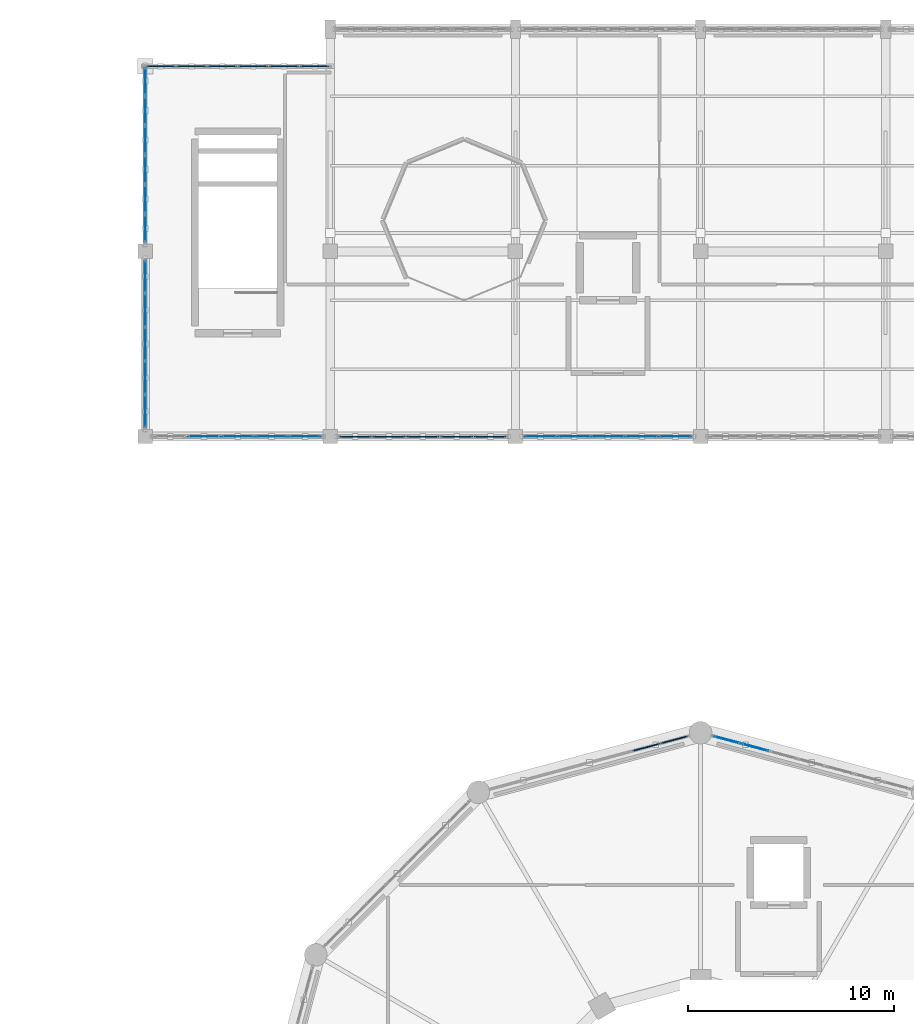
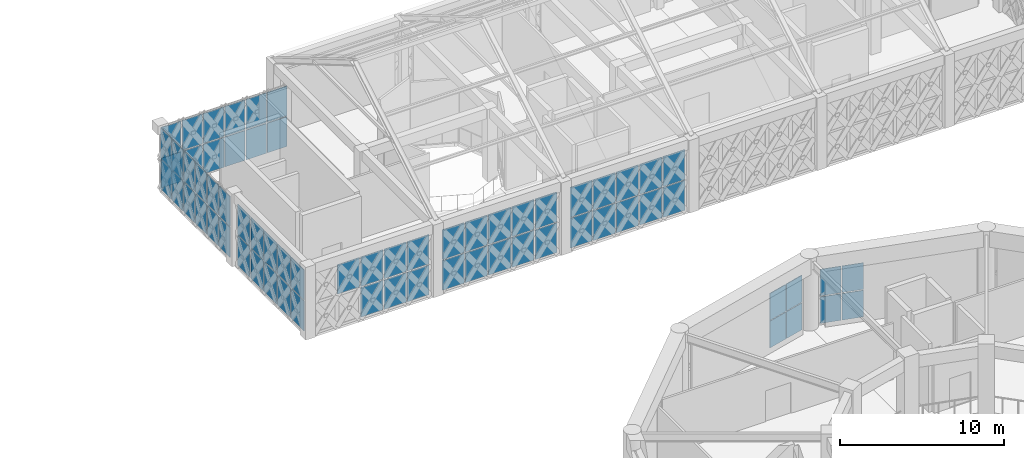
# One storey, part 61 of 72: 69 plates, 8 elements without a shape of their own.
"""IFC4 building model written with IfcOpenShell, lengths in metres."""

from ifc_helpers import new_model, si_unit, direction, frame, origin, origin_2d, place, context, subcontext, project, spatial, rectangle, extrude, material, layer, layer_set, type_object, element, aggregate, save


model = new_model("IFC4")

# Units and contexts
model_context = context("Model", 3, precision=1e-05, world=origin(), true_north=direction((0.0, 1.0)))
body_context = subcontext(model_context, "Body", "Model", "MODEL_VIEW")
ifc_project = project(units=[si_unit("LENGTHUNIT", "METRE"), si_unit("AREAUNIT", "SQUARE_METRE"), si_unit("VOLUMEUNIT", "CUBIC_METRE"), si_unit("PLANEANGLEUNIT", "RADIAN"), si_unit("MASSUNIT", "GRAM", prefix="KILO")], contexts=[model_context])

# Site, building, storey
site_placement = place(None, origin())
site = spatial("IfcSite", under=ifc_project, at=site_placement, CompositionType="ELEMENT")
building_placement = place(site_placement, origin())
building = spatial("IfcBuilding", under=site, at=building_placement, Name="Haizhuo Lancet Aquarium", CompositionType="ELEMENT")
storey_placement = place(building_placement, frame((0.0, 0.0, 21.60009765625)))
storey = spatial("IfcBuildingStorey", under=building, at=storey_placement, Name="L04", CompositionType="ELEMENT", Elevation=21.60009765625)

# Curtain wall, plates
ifc_material_1 = material(Name="Aluminium 6063-T6", Category="aluminium")
curtain_wall_type_1 = type_object("IfcCurtainWallType", Name="CWD-8210x4650", PredefinedType="NOTDEFINED", material=ifc_material_1)
curtain_wall_1_placement = place(storey_placement, origin())
curtain_wall_1 = element("IfcCurtainWall", 1, at=curtain_wall_1_placement, inside=storey, type_object=curtain_wall_type_1, Name="L04 curtain wall CW-V5-L04-189", PredefinedType="NOTDEFINED")
ifc_material_2 = material(Name="Laminated Low-E Glass", Category="glass")
ifc_layer_1 = layer(ifc_material_2, 0.028076171875)
ifc_layer_set_1 = layer_set([ifc_layer_1], Name="Laminated Low-E Glass")
plate_type_1 = type_object("IfcPlateType", Name="CW-PNL-1", PredefinedType="CURTAIN_PANEL", material=ifc_layer_set_1)
plate_1_placement = place(storey_placement, frame((-19.236083984375, 36.0, 0.079345703125), z_axis=(0.0, 0.0, 1.0), x_axis=(-1.0, 0.0, 0.0)))
plate_1 = element("IfcPlate", 2, at=plate_1_placement, type_object=plate_type_1, Name="CWD-82x46 panel 1.1", PredefinedType="CURTAIN_PANEL", context=body_context, shape_type="SweptSolid", body=[
    extrude(rectangle(XDim=1.52197265625, YDim=0.028076171875, at=origin_2d()), origin(), (0.0, 0.0, 1.0), 2.205078125),
])
plate_2_placement = place(storey_placement, frame((-19.236083984375, 36.0, 2.365478515625), z_axis=(0.0, 0.0, 1.0), x_axis=(-1.0, 0.0, 0.0)))
plate_2 = element("IfcPlate", 3, at=plate_2_placement, type_object=plate_type_1, Name="CWD-82x46 panel 1.2", PredefinedType="CURTAIN_PANEL", context=body_context, shape_type="SweptSolid", body=[
    extrude(rectangle(XDim=1.52197265625, YDim=0.028076171875, at=origin_2d()), origin(), (0.0, 0.0, 1.0), 2.205078125),
])
plate_3_placement = place(storey_placement, frame((-20.85791015625, 36.0, 0.079345703125), z_axis=(0.0, 0.0, 1.0), x_axis=(-1.0, 0.0, 0.0)))
plate_3 = element("IfcPlate", 4, at=plate_3_placement, type_object=plate_type_1, Name="CWD-82x46 panel 2.1", PredefinedType="CURTAIN_PANEL", context=body_context, shape_type="SweptSolid", body=[
    extrude(rectangle(XDim=1.56201171875, YDim=0.028076171875, at=origin_2d()), origin(), (0.0, 0.0, 1.0), 2.205078125),
])
plate_4_placement = place(storey_placement, frame((-20.85791015625, 36.0, 2.365478515625), z_axis=(0.0, 0.0, 1.0), x_axis=(-1.0, 0.0, 0.0)))
plate_4 = element("IfcPlate", 5, at=plate_4_placement, type_object=plate_type_1, Name="CWD-82x46 panel 2.2", PredefinedType="CURTAIN_PANEL", context=body_context, shape_type="SweptSolid", body=[
    extrude(rectangle(XDim=1.56201171875, YDim=0.028076171875, at=origin_2d()), origin(), (0.0, 0.0, 1.0), 2.205078125),
])
plate_5_placement = place(storey_placement, frame((-22.5, 36.0, 0.079345703125), z_axis=(0.0, 0.0, 1.0), x_axis=(-1.0, 0.0, 0.0)))
plate_5 = element("IfcPlate", 6, at=plate_5_placement, type_object=plate_type_1, Name="CWD-82x46 panel 3.1", PredefinedType="CURTAIN_PANEL", context=body_context, shape_type="SweptSolid", body=[
    extrude(rectangle(XDim=1.56201171875, YDim=0.028076171875, at=origin_2d()), origin(), (0.0, 0.0, 1.0), 2.205078125),
])
plate_6_placement = place(storey_placement, frame((-22.5, 36.0, 2.365478515625), z_axis=(0.0, 0.0, 1.0), x_axis=(-1.0, 0.0, 0.0)))
plate_6 = element("IfcPlate", 7, at=plate_6_placement, type_object=plate_type_1, Name="CWD-82x46 panel 3.2", PredefinedType="CURTAIN_PANEL", context=body_context, shape_type="SweptSolid", body=[
    extrude(rectangle(XDim=1.56201171875, YDim=0.028076171875, at=origin_2d()), origin(), (0.0, 0.0, 1.0), 2.205078125),
])
plate_7_placement = place(storey_placement, frame((-24.14208984375, 36.0, 2.365478515625), z_axis=(0.0, 0.0, 1.0), x_axis=(-1.0, 0.0, 0.0)))
plate_7 = element("IfcPlate", 8, at=plate_7_placement, type_object=plate_type_1, Name="CWD-82x46 panel 4.2", PredefinedType="CURTAIN_PANEL", context=body_context, shape_type="SweptSolid", body=[
    extrude(rectangle(XDim=1.56201171875, YDim=0.028076171875, at=origin_2d()), origin(), (0.0, 0.0, 1.0), 2.205078125),
])
aggregate(curtain_wall_1, [plate_1, plate_2, plate_3, plate_4, plate_5, plate_6, plate_7])

curtain_wall_type_2 = type_object("IfcCurtainWallType", Name="CWD-8210x4700", PredefinedType="NOTDEFINED", material=ifc_material_1)
curtain_wall_2_placement = place(storey_placement, origin())
curtain_wall_2 = element("IfcCurtainWall", 9, at=curtain_wall_2_placement, inside=storey, type_object=curtain_wall_type_2, Name="L04 curtain wall CW-V5-L04-190", PredefinedType="NOTDEFINED")
ifc_layer_2 = layer(ifc_material_2, 0.033935546875)
ifc_layer_set_2 = layer_set([ifc_layer_2], Name="Laminated Low-E Glass")
plate_type_2 = type_object("IfcPlateType", Name="CW-PNL-2", PredefinedType="CURTAIN_PANEL", material=ifc_layer_set_2)
plate_8_placement = place(storey_placement, frame((-27.0, 37.23193359375, 0.064453125), z_axis=(0.0, 0.0, 1.0), x_axis=(0.0, 1.0, 0.0)))
plate_8 = element("IfcPlate", 10, at=plate_8_placement, type_object=plate_type_2, Name="CWD-82x47 panel 1.1", PredefinedType="CURTAIN_PANEL", context=body_context, shape_type="SweptSolid", body=[
    extrude(rectangle(XDim=1.5439453125, YDim=0.033935546875, at=origin_2d()), origin(), (0.0, 0.0, 1.0), 2.2529296875),
])
plate_9_placement = place(storey_placement, frame((-27.0, 37.23193359375, 2.38232421875), z_axis=(0.0, 0.0, 1.0), x_axis=(0.0, 1.0, 0.0)))
plate_9 = element("IfcPlate", 11, at=plate_9_placement, type_object=plate_type_2, Name="CWD-82x47 panel 1.2", PredefinedType="CURTAIN_PANEL", context=body_context, shape_type="SweptSolid", body=[
    extrude(rectangle(XDim=1.5439453125, YDim=0.033935546875, at=origin_2d()), origin(), (0.0, 0.0, 1.0), 2.2529296875),
])
plate_10_placement = place(storey_placement, frame((-27.0, 38.85791015625, 0.064453125), z_axis=(0.0, 0.0, 1.0), x_axis=(0.0, 1.0, 0.0)))
plate_10 = element("IfcPlate", 12, at=plate_10_placement, type_object=plate_type_2, Name="CWD-82x47 panel 2.1", PredefinedType="CURTAIN_PANEL", context=body_context, shape_type="SweptSolid", body=[
    extrude(rectangle(XDim=1.576904296875, YDim=0.033935546875, at=origin_2d()), origin(), (0.0, 0.0, 1.0), 2.2529296875),
])
plate_11_placement = place(storey_placement, frame((-27.0, 38.85791015625, 2.38232421875), z_axis=(0.0, 0.0, 1.0), x_axis=(0.0, 1.0, 0.0)))
plate_11 = element("IfcPlate", 13, at=plate_11_placement, type_object=plate_type_2, Name="CWD-82x47 panel 2.2", PredefinedType="CURTAIN_PANEL", context=body_context, shape_type="SweptSolid", body=[
    extrude(rectangle(XDim=1.576904296875, YDim=0.033935546875, at=origin_2d()), origin(), (0.0, 0.0, 1.0), 2.2529296875),
])
plate_12_placement = place(storey_placement, frame((-27.0, 40.5, 0.064453125), z_axis=(0.0, 0.0, 1.0), x_axis=(0.0, 1.0, 0.0)))
plate_12 = element("IfcPlate", 14, at=plate_12_placement, type_object=plate_type_2, Name="CWD-82x47 panel 3.1", PredefinedType="CURTAIN_PANEL", context=body_context, shape_type="SweptSolid", body=[
    extrude(rectangle(XDim=1.576904296875, YDim=0.033935546875, at=origin_2d()), origin(), (0.0, 0.0, 1.0), 2.2529296875),
])
plate_13_placement = place(storey_placement, frame((-27.0, 40.5, 2.38232421875), z_axis=(0.0, 0.0, 1.0), x_axis=(0.0, 1.0, 0.0)))
plate_13 = element("IfcPlate", 15, at=plate_13_placement, type_object=plate_type_2, Name="CWD-82x47 panel 3.2", PredefinedType="CURTAIN_PANEL", context=body_context, shape_type="SweptSolid", body=[
    extrude(rectangle(XDim=1.576904296875, YDim=0.033935546875, at=origin_2d()), origin(), (0.0, 0.0, 1.0), 2.2529296875),
])
plate_14_placement = place(storey_placement, frame((-27.0, 42.14208984375, 0.064453125), z_axis=(0.0, 0.0, 1.0), x_axis=(0.0, 1.0, 0.0)))
plate_14 = element("IfcPlate", 16, at=plate_14_placement, type_object=plate_type_2, Name="CWD-82x47 panel 4.1", PredefinedType="CURTAIN_PANEL", context=body_context, shape_type="SweptSolid", body=[
    extrude(rectangle(XDim=1.576904296875, YDim=0.033935546875, at=origin_2d()), origin(), (0.0, 0.0, 1.0), 2.2529296875),
])
plate_15_placement = place(storey_placement, frame((-27.0, 42.14208984375, 2.38232421875), z_axis=(0.0, 0.0, 1.0), x_axis=(0.0, 1.0, 0.0)))
plate_15 = element("IfcPlate", 17, at=plate_15_placement, type_object=plate_type_2, Name="CWD-82x47 panel 4.2", PredefinedType="CURTAIN_PANEL", context=body_context, shape_type="SweptSolid", body=[
    extrude(rectangle(XDim=1.576904296875, YDim=0.033935546875, at=origin_2d()), origin(), (0.0, 0.0, 1.0), 2.2529296875),
])
plate_16_placement = place(storey_placement, frame((-27.0, 43.76806640625, 0.064453125), z_axis=(0.0, 0.0, 1.0), x_axis=(0.0, 1.0, 0.0)))
plate_16 = element("IfcPlate", 18, at=plate_16_placement, type_object=plate_type_2, Name="CWD-82x47 panel 5.1", PredefinedType="CURTAIN_PANEL", context=body_context, shape_type="SweptSolid", body=[
    extrude(rectangle(XDim=1.5439453125, YDim=0.033935546875, at=origin_2d()), origin(), (0.0, 0.0, 1.0), 2.2529296875),
])
plate_17_placement = place(storey_placement, frame((-27.0, 43.76806640625, 2.38232421875), z_axis=(0.0, 0.0, 1.0), x_axis=(0.0, 1.0, 0.0)))
plate_17 = element("IfcPlate", 19, at=plate_17_placement, type_object=plate_type_2, Name="CWD-82x47 panel 5.2", PredefinedType="CURTAIN_PANEL", context=body_context, shape_type="SweptSolid", body=[
    extrude(rectangle(XDim=1.5439453125, YDim=0.033935546875, at=origin_2d()), origin(), (0.0, 0.0, 1.0), 2.2529296875),
])
aggregate(curtain_wall_2, [plate_8, plate_9, plate_10, plate_11, plate_12, plate_13, plate_14, plate_15, plate_16, plate_17])

curtain_wall_type_3 = type_object("IfcCurtainWallType", Name="CWO-9990x4180", PredefinedType="NOTDEFINED", material=ifc_material_1)
curtain_wall_3_placement = place(storey_placement, origin())
curtain_wall_3 = element("IfcCurtainWall", 20, at=curtain_wall_3_placement, inside=storey, type_object=curtain_wall_type_3, Name="L04 curtain wall CW-V1-L04-03", PredefinedType="NOTDEFINED")
ifc_layer_3 = layer(ifc_material_2, 0.0419921875)
ifc_layer_set_3 = layer_set([ifc_layer_3], Name="Laminated Low-E Glass")
plate_type_3 = type_object("IfcPlateType", Name="CW-PNL-3", PredefinedType="CURTAIN_PANEL", material=ifc_layer_set_3)
plate_18_placement = place(storey_placement, frame((1.283935546875, 21.256103515625, 0.07958984375), z_axis=(0.0, 0.0, 1.0), x_axis=(0.965916791212, -0.258852762117, 0.0)))
plate_18 = element("IfcPlate", 21, at=plate_18_placement, type_object=plate_type_3, Name="CWO-99x41 panel 1.1", PredefinedType="CURTAIN_PANEL", context=body_context, shape_type="SweptSolid", body=[
    extrude(rectangle(XDim=1.306884765625, YDim=0.0419921875, at=origin_2d()), origin(), (0.0, 0.0, 1.0), 1.972900390625),
])
plate_19_placement = place(storey_placement, frame((1.283935546875, 21.256103515625, 2.1328125), z_axis=(0.0, 0.0, 1.0), x_axis=(0.965916791212, -0.258852762117, 0.0)))
plate_19 = element("IfcPlate", 22, at=plate_19_placement, type_object=plate_type_3, Name="CWO-99x41 panel 1.2", PredefinedType="CURTAIN_PANEL", context=body_context, shape_type="SweptSolid", body=[
    extrude(rectangle(XDim=1.306884765625, YDim=0.0419921875, at=origin_2d()), origin(), (0.0, 0.0, 1.0), 1.971923828125),
])
plate_20_placement = place(storey_placement, frame((2.64306640625, 20.89208984375, 0.07958984375), z_axis=(0.0, 0.0, 1.0), x_axis=(0.965916791212, -0.258852762117, 0.0)))
plate_20 = element("IfcPlate", 23, at=plate_20_placement, type_object=plate_type_3, Name="CWO-99x41 panel 2.1", PredefinedType="CURTAIN_PANEL", context=body_context, shape_type="SweptSolid", body=[
    extrude(rectangle(XDim=1.346923828125, YDim=0.0419921875, at=origin_2d()), origin(), (0.0, 0.0, 1.0), 1.972900390625),
])
plate_21_placement = place(storey_placement, frame((2.64306640625, 20.89208984375, 2.1328125), z_axis=(0.0, 0.0, 1.0), x_axis=(0.965916791212, -0.258852762117, 0.0)))
plate_21 = element("IfcPlate", 24, at=plate_21_placement, type_object=plate_type_3, Name="CWO-99x41 panel 2.2", PredefinedType="CURTAIN_PANEL", context=body_context, shape_type="SweptSolid", body=[
    extrude(rectangle(XDim=1.346923828125, YDim=0.0419921875, at=origin_2d()), origin(), (0.0, 0.0, 1.0), 1.971923828125),
])
aggregate(curtain_wall_3, [plate_18, plate_19, plate_20, plate_21])

curtain_wall_4_placement = place(storey_placement, origin())
curtain_wall_4 = element("IfcCurtainWall", 25, at=curtain_wall_4_placement, inside=storey, type_object=curtain_wall_type_1, Name="L04 curtain wall CW-V5-L04-187", PredefinedType="NOTDEFINED")
plate_22_placement = place(storey_placement, frame((-1.23193359375, 36.0, 0.06494140625), z_axis=(0.0, 0.0, 1.0), x_axis=(-1.0, 0.0, 0.0)))
plate_22 = element("IfcPlate", 26, at=plate_22_placement, type_object=plate_type_3, Name="CWD-82x46 panel 1.1", PredefinedType="CURTAIN_PANEL", context=body_context, shape_type="SweptSolid", body=[
    extrude(rectangle(XDim=1.544921875, YDim=0.0419921875, at=origin_2d()), origin(), (0.0, 0.0, 1.0), 2.22802734375),
])
plate_23_placement = place(storey_placement, frame((-1.23193359375, 36.0, 2.35693359375), z_axis=(0.0, 0.0, 1.0), x_axis=(-1.0, 0.0, 0.0)))
plate_23 = element("IfcPlate", 27, at=plate_23_placement, type_object=plate_type_3, Name="CWD-82x46 panel 1.2", PredefinedType="CURTAIN_PANEL", context=body_context, shape_type="SweptSolid", body=[
    extrude(rectangle(XDim=1.544921875, YDim=0.0419921875, at=origin_2d()), origin(), (0.0, 0.0, 1.0), 2.22802734375),
])
plate_24_placement = place(storey_placement, frame((-2.85791015625, 36.0, 0.06494140625), z_axis=(0.0, 0.0, 1.0), x_axis=(-1.0, 0.0, 0.0)))
plate_24 = element("IfcPlate", 28, at=plate_24_placement, type_object=plate_type_3, Name="CWD-82x46 panel 2.1", PredefinedType="CURTAIN_PANEL", context=body_context, shape_type="SweptSolid", body=[
    extrude(rectangle(XDim=1.576904296875, YDim=0.0419921875, at=origin_2d()), origin(), (0.0, 0.0, 1.0), 2.22802734375),
])
plate_25_placement = place(storey_placement, frame((-2.85791015625, 36.0, 2.35693359375), z_axis=(0.0, 0.0, 1.0), x_axis=(-1.0, 0.0, 0.0)))
plate_25 = element("IfcPlate", 29, at=plate_25_placement, type_object=plate_type_3, Name="CWD-82x46 panel 2.2", PredefinedType="CURTAIN_PANEL", context=body_context, shape_type="SweptSolid", body=[
    extrude(rectangle(XDim=1.576904296875, YDim=0.0419921875, at=origin_2d()), origin(), (0.0, 0.0, 1.0), 2.22802734375),
])
plate_26_placement = place(storey_placement, frame((-4.5, 36.0, 0.06494140625), z_axis=(0.0, 0.0, 1.0), x_axis=(-1.0, 0.0, 0.0)))
plate_26 = element("IfcPlate", 30, at=plate_26_placement, type_object=plate_type_3, Name="CWD-82x46 panel 3.1", PredefinedType="CURTAIN_PANEL", context=body_context, shape_type="SweptSolid", body=[
    extrude(rectangle(XDim=1.576904296875, YDim=0.0419921875, at=origin_2d()), origin(), (0.0, 0.0, 1.0), 2.22802734375),
])
plate_27_placement = place(storey_placement, frame((-4.5, 36.0, 2.35693359375), z_axis=(0.0, 0.0, 1.0), x_axis=(-1.0, 0.0, 0.0)))
plate_27 = element("IfcPlate", 31, at=plate_27_placement, type_object=plate_type_3, Name="CWD-82x46 panel 3.2", PredefinedType="CURTAIN_PANEL", context=body_context, shape_type="SweptSolid", body=[
    extrude(rectangle(XDim=1.576904296875, YDim=0.0419921875, at=origin_2d()), origin(), (0.0, 0.0, 1.0), 2.22802734375),
])
plate_28_placement = place(storey_placement, frame((-6.14208984375, 36.0, 0.06494140625), z_axis=(0.0, 0.0, 1.0), x_axis=(-1.0, 0.0, 0.0)))
plate_28 = element("IfcPlate", 32, at=plate_28_placement, type_object=plate_type_3, Name="CWD-82x46 panel 4.1", PredefinedType="CURTAIN_PANEL", context=body_context, shape_type="SweptSolid", body=[
    extrude(rectangle(XDim=1.576904296875, YDim=0.0419921875, at=origin_2d()), origin(), (0.0, 0.0, 1.0), 2.22802734375),
])
plate_29_placement = place(storey_placement, frame((-6.14208984375, 36.0, 2.35693359375), z_axis=(0.0, 0.0, 1.0), x_axis=(-1.0, 0.0, 0.0)))
plate_29 = element("IfcPlate", 33, at=plate_29_placement, type_object=plate_type_3, Name="CWD-82x46 panel 4.2", PredefinedType="CURTAIN_PANEL", context=body_context, shape_type="SweptSolid", body=[
    extrude(rectangle(XDim=1.576904296875, YDim=0.0419921875, at=origin_2d()), origin(), (0.0, 0.0, 1.0), 2.22802734375),
])
plate_30_placement = place(storey_placement, frame((-7.76806640625, 36.0, 0.06494140625), z_axis=(0.0, 0.0, 1.0), x_axis=(-1.0, 0.0, 0.0)))
plate_30 = element("IfcPlate", 34, at=plate_30_placement, type_object=plate_type_3, Name="CWD-82x46 panel 5.1", PredefinedType="CURTAIN_PANEL", context=body_context, shape_type="SweptSolid", body=[
    extrude(rectangle(XDim=1.5439453125, YDim=0.0419921875, at=origin_2d()), origin(), (0.0, 0.0, 1.0), 2.22802734375),
])
plate_31_placement = place(storey_placement, frame((-7.76806640625, 36.0, 2.35693359375), z_axis=(0.0, 0.0, 1.0), x_axis=(-1.0, 0.0, 0.0)))
plate_31 = element("IfcPlate", 35, at=plate_31_placement, type_object=plate_type_3, Name="CWD-82x46 panel 5.2", PredefinedType="CURTAIN_PANEL", context=body_context, shape_type="SweptSolid", body=[
    extrude(rectangle(XDim=1.5439453125, YDim=0.0419921875, at=origin_2d()), origin(), (0.0, 0.0, 1.0), 2.22802734375),
])
aggregate(curtain_wall_4, [plate_22, plate_23, plate_24, plate_25, plate_26, plate_27, plate_28, plate_29, plate_30, plate_31])

curtain_wall_type_4 = type_object("IfcCurtainWallType", Name="CWD-8600x4700", PredefinedType="NOTDEFINED", material=ifc_material_1)
curtain_wall_5_placement = place(storey_placement, origin())
curtain_wall_5 = element("IfcCurtainWall", 36, at=curtain_wall_5_placement, inside=storey, type_object=curtain_wall_type_4, Name="L04 curtain wall CW-V5-L04-191", PredefinedType="NOTDEFINED")
plate_32_placement = place(storey_placement, frame((-27.0, 46.131103515625, 0.0751953125), z_axis=(0.0, 0.0, 1.0), x_axis=(0.0, 1.0, 0.0)))
plate_32 = element("IfcPlate", 37, at=plate_32_placement, type_object=plate_type_3, Name="CWD-86x47 panel 1.1", PredefinedType="CURTAIN_PANEL", context=body_context, shape_type="SweptSolid", body=[
    extrude(rectangle(XDim=1.322021484375, YDim=0.0419921875, at=origin_2d()), origin(), (0.0, 0.0, 1.0), 2.237060546875),
])
plate_33_placement = place(storey_placement, frame((-27.0, 46.131103515625, 2.38720703125), z_axis=(0.0, 0.0, 1.0), x_axis=(0.0, 1.0, 0.0)))
plate_33 = element("IfcPlate", 38, at=plate_33_placement, type_object=plate_type_3, Name="CWD-86x47 panel 1.2", PredefinedType="CURTAIN_PANEL", context=body_context, shape_type="SweptSolid", body=[
    extrude(rectangle(XDim=1.322021484375, YDim=0.0419921875, at=origin_2d()), origin(), (0.0, 0.0, 1.0), 2.237060546875),
])
plate_34_placement = place(storey_placement, frame((-27.0, 47.5458984375, 0.0751953125), z_axis=(0.0, 0.0, 1.0), x_axis=(0.0, 1.0, 0.0)))
plate_34 = element("IfcPlate", 39, at=plate_34_placement, type_object=plate_type_3, Name="CWD-86x47 panel 2.1", PredefinedType="CURTAIN_PANEL", context=body_context, shape_type="SweptSolid", body=[
    extrude(rectangle(XDim=1.35888671875, YDim=0.0419921875, at=origin_2d()), origin(), (0.0, 0.0, 1.0), 2.237060546875),
])
plate_35_placement = place(storey_placement, frame((-27.0, 47.5458984375, 2.38720703125), z_axis=(0.0, 0.0, 1.0), x_axis=(0.0, 1.0, 0.0)))
plate_35 = element("IfcPlate", 40, at=plate_35_placement, type_object=plate_type_3, Name="CWD-86x47 panel 2.2", PredefinedType="CURTAIN_PANEL", context=body_context, shape_type="SweptSolid", body=[
    extrude(rectangle(XDim=1.35888671875, YDim=0.0419921875, at=origin_2d()), origin(), (0.0, 0.0, 1.0), 2.237060546875),
])
plate_36_placement = place(storey_placement, frame((-27.0, 48.97998046875, 0.0751953125), z_axis=(0.0, 0.0, 1.0), x_axis=(0.0, 1.0, 0.0)))
plate_36 = element("IfcPlate", 41, at=plate_36_placement, type_object=plate_type_3, Name="CWD-86x47 panel 3.1", PredefinedType="CURTAIN_PANEL", context=body_context, shape_type="SweptSolid", body=[
    extrude(rectangle(XDim=1.35888671875, YDim=0.0419921875, at=origin_2d()), origin(), (0.0, 0.0, 1.0), 2.237060546875),
])
plate_37_placement = place(storey_placement, frame((-27.0, 48.97998046875, 2.38720703125), z_axis=(0.0, 0.0, 1.0), x_axis=(0.0, 1.0, 0.0)))
plate_37 = element("IfcPlate", 42, at=plate_37_placement, type_object=plate_type_3, Name="CWD-86x47 panel 3.2", PredefinedType="CURTAIN_PANEL", context=body_context, shape_type="SweptSolid", body=[
    extrude(rectangle(XDim=1.35888671875, YDim=0.0419921875, at=origin_2d()), origin(), (0.0, 0.0, 1.0), 2.237060546875),
])
plate_38_placement = place(storey_placement, frame((-27.0, 50.4150390625, 0.0751953125), z_axis=(0.0, 0.0, 1.0), x_axis=(0.0, 1.0, 0.0)))
plate_38 = element("IfcPlate", 43, at=plate_38_placement, type_object=plate_type_3, Name="CWD-86x47 panel 4.1", PredefinedType="CURTAIN_PANEL", context=body_context, shape_type="SweptSolid", body=[
    extrude(rectangle(XDim=1.35888671875, YDim=0.0419921875, at=origin_2d()), origin(), (0.0, 0.0, 1.0), 2.237060546875),
])
plate_39_placement = place(storey_placement, frame((-27.0, 50.4150390625, 2.38720703125), z_axis=(0.0, 0.0, 1.0), x_axis=(0.0, 1.0, 0.0)))
plate_39 = element("IfcPlate", 44, at=plate_39_placement, type_object=plate_type_3, Name="CWD-86x47 panel 4.2", PredefinedType="CURTAIN_PANEL", context=body_context, shape_type="SweptSolid", body=[
    extrude(rectangle(XDim=1.35888671875, YDim=0.0419921875, at=origin_2d()), origin(), (0.0, 0.0, 1.0), 2.237060546875),
])
plate_40_placement = place(storey_placement, frame((-27.0, 51.84912109375, 0.0751953125), z_axis=(0.0, 0.0, 1.0), x_axis=(0.0, 1.0, 0.0)))
plate_40 = element("IfcPlate", 45, at=plate_40_placement, type_object=plate_type_3, Name="CWD-86x47 panel 5.1", PredefinedType="CURTAIN_PANEL", context=body_context, shape_type="SweptSolid", body=[
    extrude(rectangle(XDim=1.35888671875, YDim=0.0419921875, at=origin_2d()), origin(), (0.0, 0.0, 1.0), 2.237060546875),
])
plate_41_placement = place(storey_placement, frame((-27.0, 51.84912109375, 2.38720703125), z_axis=(0.0, 0.0, 1.0), x_axis=(0.0, 1.0, 0.0)))
plate_41 = element("IfcPlate", 46, at=plate_41_placement, type_object=plate_type_3, Name="CWD-86x47 panel 5.2", PredefinedType="CURTAIN_PANEL", context=body_context, shape_type="SweptSolid", body=[
    extrude(rectangle(XDim=1.35888671875, YDim=0.0419921875, at=origin_2d()), origin(), (0.0, 0.0, 1.0), 2.237060546875),
])
plate_42_placement = place(storey_placement, frame((-27.0, 53.263916015625, 0.0751953125), z_axis=(0.0, 0.0, 1.0), x_axis=(0.0, 1.0, 0.0)))
plate_42 = element("IfcPlate", 47, at=plate_42_placement, type_object=plate_type_3, Name="CWD-86x47 panel 6.1", PredefinedType="CURTAIN_PANEL", context=body_context, shape_type="SweptSolid", body=[
    extrude(rectangle(XDim=1.322021484375, YDim=0.0419921875, at=origin_2d()), origin(), (0.0, 0.0, 1.0), 2.237060546875),
])
plate_43_placement = place(storey_placement, frame((-27.0, 53.263916015625, 2.38720703125), z_axis=(0.0, 0.0, 1.0), x_axis=(0.0, 1.0, 0.0)))
plate_43 = element("IfcPlate", 48, at=plate_43_placement, type_object=plate_type_3, Name="CWD-86x47 panel 6.2", PredefinedType="CURTAIN_PANEL", context=body_context, shape_type="SweptSolid", body=[
    extrude(rectangle(XDim=1.322021484375, YDim=0.0419921875, at=origin_2d()), origin(), (0.0, 0.0, 1.0), 2.237060546875),
])
aggregate(curtain_wall_5, [plate_32, plate_33, plate_34, plate_35, plate_36, plate_37, plate_38, plate_39, plate_40, plate_41, plate_42, plate_43])

curtain_wall_6_placement = place(storey_placement, origin())
curtain_wall_6 = element("IfcCurtainWall", 49, at=curtain_wall_6_placement, inside=storey, type_object=curtain_wall_type_3, Name="L04 curtain wall CW-V1-L04-04", PredefinedType="NOTDEFINED")
ifc_layer_4 = layer(ifc_material_2, 0.052001953125)
ifc_layer_set_4 = layer_set([ifc_layer_4], Name="Laminated Low-E Glass")
plate_type_4 = type_object("IfcPlateType", Name="CW-PNL-4", PredefinedType="CURTAIN_PANEL", material=ifc_layer_set_4)
plate_44_placement = place(storey_placement, frame((-2.64306640625, 20.89208984375, 0.06494140625), z_axis=(0.0, 0.0, 1.0), x_axis=(0.965916791212, 0.258852762117, 0.0)))
plate_44 = element("IfcPlate", 50, at=plate_44_placement, type_object=plate_type_4, Name="CWO-99x41 panel 6.1", PredefinedType="CURTAIN_PANEL", context=body_context, shape_type="SweptSolid", body=[
    extrude(rectangle(XDim=1.362060546875, YDim=0.052001953125, at=origin_2d()), origin(), (0.0, 0.0, 1.0), 1.99609375),
])
plate_45_placement = place(storey_placement, frame((-2.64306640625, 20.89208984375, 2.125244140625), z_axis=(0.0, 0.0, 1.0), x_axis=(0.965916791212, 0.258852762117, 0.0)))
plate_45 = element("IfcPlate", 51, at=plate_45_placement, type_object=plate_type_4, Name="CWO-99x41 panel 6.2", PredefinedType="CURTAIN_PANEL", context=body_context, shape_type="SweptSolid", body=[
    extrude(rectangle(XDim=1.362060546875, YDim=0.052001953125, at=origin_2d()), origin(), (0.0, 0.0, 1.0), 1.9951171875),
])
plate_46_placement = place(storey_placement, frame((-1.280029296875, 21.257080078125, 0.06494140625), z_axis=(0.0, 0.0, 1.0), x_axis=(0.965916791212, 0.258852762117, 0.0)))
plate_46 = element("IfcPlate", 52, at=plate_46_placement, type_object=plate_type_4, Name="CWO-99x41 panel 7.1", PredefinedType="CURTAIN_PANEL", context=body_context, shape_type="SweptSolid", body=[
    extrude(rectangle(XDim=1.330078125, YDim=0.052001953125, at=origin_2d()), origin(), (0.0, 0.0, 1.0), 1.99609375),
])
plate_47_placement = place(storey_placement, frame((-1.280029296875, 21.257080078125, 2.125244140625), z_axis=(0.0, 0.0, 1.0), x_axis=(0.965916791212, 0.258852762117, 0.0)))
plate_47 = element("IfcPlate", 53, at=plate_47_placement, type_object=plate_type_4, Name="CWO-99x41 panel 7.2", PredefinedType="CURTAIN_PANEL", context=body_context, shape_type="SweptSolid", body=[
    extrude(rectangle(XDim=1.330078125, YDim=0.052001953125, at=origin_2d()), origin(), (0.0, 0.0, 1.0), 1.9951171875),
])
aggregate(curtain_wall_6, [plate_44, plate_45, plate_46, plate_47])

curtain_wall_type_5 = type_object("IfcCurtainWallType", Name="CWD-9000x4650", PredefinedType="NOTDEFINED", material=ifc_material_1)
curtain_wall_7_placement = place(storey_placement, origin())
curtain_wall_7 = element("IfcCurtainWall", 54, at=curtain_wall_7_placement, inside=storey, type_object=curtain_wall_type_5, Name="L04 curtain wall CW-V5-L04-176", PredefinedType="NOTDEFINED")
plate_48_placement = place(storey_placement, frame((-26.23095703125, 54.0, 0.074951171875), z_axis=(0.0, 0.0, 1.0), x_axis=(1.0, 0.0, 0.0)))
plate_48 = element("IfcPlate", 55, at=plate_48_placement, type_object=plate_type_4, Name="CWD-90x46 panel 1.1", PredefinedType="CURTAIN_PANEL", context=body_context, shape_type="SweptSolid", body=[
    extrude(rectangle(XDim=1.386962890625, YDim=0.052001953125, at=origin_2d()), origin(), (0.0, 0.0, 1.0), 2.2119140625),
])
plate_49_placement = place(storey_placement, frame((-26.23095703125, 54.0, 2.363037109375), z_axis=(0.0, 0.0, 1.0), x_axis=(1.0, 0.0, 0.0)))
plate_49 = element("IfcPlate", 56, at=plate_49_placement, type_object=plate_type_4, Name="CWD-90x46 panel 1.2", PredefinedType="CURTAIN_PANEL", context=body_context, shape_type="SweptSolid", body=[
    extrude(rectangle(XDim=1.386962890625, YDim=0.052001953125, at=origin_2d()), origin(), (0.0, 0.0, 1.0), 2.2119140625),
])
plate_50_placement = place(storey_placement, frame((-24.75, 54.0, 0.074951171875), z_axis=(0.0, 0.0, 1.0), x_axis=(1.0, 0.0, 0.0)))
plate_50 = element("IfcPlate", 57, at=plate_50_placement, type_object=plate_type_4, Name="CWD-90x46 panel 2.1", PredefinedType="CURTAIN_PANEL", context=body_context, shape_type="SweptSolid", body=[
    extrude(rectangle(XDim=1.425048828125, YDim=0.052001953125, at=origin_2d()), origin(), (0.0, 0.0, 1.0), 2.2119140625),
])
plate_51_placement = place(storey_placement, frame((-24.75, 54.0, 2.363037109375), z_axis=(0.0, 0.0, 1.0), x_axis=(1.0, 0.0, 0.0)))
plate_51 = element("IfcPlate", 58, at=plate_51_placement, type_object=plate_type_4, Name="CWD-90x46 panel 2.2", PredefinedType="CURTAIN_PANEL", context=body_context, shape_type="SweptSolid", body=[
    extrude(rectangle(XDim=1.425048828125, YDim=0.052001953125, at=origin_2d()), origin(), (0.0, 0.0, 1.0), 2.2119140625),
])
plate_52_placement = place(storey_placement, frame((-23.25, 54.0, 0.074951171875), z_axis=(0.0, 0.0, 1.0), x_axis=(1.0, 0.0, 0.0)))
plate_52 = element("IfcPlate", 59, at=plate_52_placement, type_object=plate_type_4, Name="CWD-90x46 panel 3.1", PredefinedType="CURTAIN_PANEL", context=body_context, shape_type="SweptSolid", body=[
    extrude(rectangle(XDim=1.425048828125, YDim=0.052001953125, at=origin_2d()), origin(), (0.0, 0.0, 1.0), 2.2119140625),
])
plate_53_placement = place(storey_placement, frame((-23.25, 54.0, 2.363037109375), z_axis=(0.0, 0.0, 1.0), x_axis=(1.0, 0.0, 0.0)))
plate_53 = element("IfcPlate", 60, at=plate_53_placement, type_object=plate_type_4, Name="CWD-90x46 panel 3.2", PredefinedType="CURTAIN_PANEL", context=body_context, shape_type="SweptSolid", body=[
    extrude(rectangle(XDim=1.425048828125, YDim=0.052001953125, at=origin_2d()), origin(), (0.0, 0.0, 1.0), 2.2119140625),
])
plate_54_placement = place(storey_placement, frame((-21.75, 54.0, 0.074951171875), z_axis=(0.0, 0.0, 1.0), x_axis=(1.0, 0.0, 0.0)))
plate_54 = element("IfcPlate", 61, at=plate_54_placement, type_object=plate_type_4, Name="CWD-90x46 panel 4.1", PredefinedType="CURTAIN_PANEL", context=body_context, shape_type="SweptSolid", body=[
    extrude(rectangle(XDim=1.425048828125, YDim=0.052001953125, at=origin_2d()), origin(), (0.0, 0.0, 1.0), 2.2119140625),
])
plate_55_placement = place(storey_placement, frame((-21.75, 54.0, 2.363037109375), z_axis=(0.0, 0.0, 1.0), x_axis=(1.0, 0.0, 0.0)))
plate_55 = element("IfcPlate", 62, at=plate_55_placement, type_object=plate_type_4, Name="CWD-90x46 panel 4.2", PredefinedType="CURTAIN_PANEL", context=body_context, shape_type="SweptSolid", body=[
    extrude(rectangle(XDim=1.425048828125, YDim=0.052001953125, at=origin_2d()), origin(), (0.0, 0.0, 1.0), 2.2119140625),
])
plate_56_placement = place(storey_placement, frame((-20.25, 54.0, 0.074951171875), z_axis=(0.0, 0.0, 1.0), x_axis=(1.0, 0.0, 0.0)))
plate_56 = element("IfcPlate", 63, at=plate_56_placement, type_object=plate_type_4, Name="CWD-90x46 panel 5.1", PredefinedType="CURTAIN_PANEL", context=body_context, shape_type="SweptSolid", body=[
    extrude(rectangle(XDim=1.425048828125, YDim=0.052001953125, at=origin_2d()), origin(), (0.0, 0.0, 1.0), 2.2119140625),
])
plate_57_placement = place(storey_placement, frame((-20.25, 54.0, 2.363037109375), z_axis=(0.0, 0.0, 1.0), x_axis=(1.0, 0.0, 0.0)))
plate_57 = element("IfcPlate", 64, at=plate_57_placement, type_object=plate_type_4, Name="CWD-90x46 panel 5.2", PredefinedType="CURTAIN_PANEL", context=body_context, shape_type="SweptSolid", body=[
    extrude(rectangle(XDim=1.425048828125, YDim=0.052001953125, at=origin_2d()), origin(), (0.0, 0.0, 1.0), 2.2119140625),
])
plate_58_placement = place(storey_placement, frame((-18.76904296875, 54.0, 0.074951171875), z_axis=(0.0, 0.0, 1.0), x_axis=(1.0, 0.0, 0.0)))
plate_58 = element("IfcPlate", 65, at=plate_58_placement, type_object=plate_type_4, Name="CWD-90x46 panel 6.1", PredefinedType="CURTAIN_PANEL", context=body_context, shape_type="SweptSolid", body=[
    extrude(rectangle(XDim=1.387939453125, YDim=0.052001953125, at=origin_2d()), origin(), (0.0, 0.0, 1.0), 2.2119140625),
])
plate_59_placement = place(storey_placement, frame((-18.76904296875, 54.0, 2.363037109375), z_axis=(0.0, 0.0, 1.0), x_axis=(1.0, 0.0, 0.0)))
plate_59 = element("IfcPlate", 66, at=plate_59_placement, type_object=plate_type_4, Name="CWD-90x46 panel 6.2", PredefinedType="CURTAIN_PANEL", context=body_context, shape_type="SweptSolid", body=[
    extrude(rectangle(XDim=1.387939453125, YDim=0.052001953125, at=origin_2d()), origin(), (0.0, 0.0, 1.0), 2.2119140625),
])
aggregate(curtain_wall_7, [plate_48, plate_49, plate_50, plate_51, plate_52, plate_53, plate_54, plate_55, plate_56, plate_57, plate_58, plate_59])

curtain_wall_8_placement = place(storey_placement, origin())
curtain_wall_8 = element("IfcCurtainWall", 67, at=curtain_wall_8_placement, inside=storey, type_object=curtain_wall_type_1, Name="L04 curtain wall CW-V5-L04-188", PredefinedType="NOTDEFINED")
plate_60_placement = place(storey_placement, frame((-10.235107421875, 36.0, 0.074951171875), z_axis=(0.0, 0.0, 1.0), x_axis=(-1.0, 0.0, 0.0)))
plate_60 = element("IfcPlate", 68, at=plate_60_placement, type_object=plate_type_4, Name="CWD-82x46 panel 1.1", PredefinedType="CURTAIN_PANEL", context=body_context, shape_type="SweptSolid", body=[
    extrude(rectangle(XDim=1.530029296875, YDim=0.052001953125, at=origin_2d()), origin(), (0.0, 0.0, 1.0), 2.2119140625),
])
plate_61_placement = place(storey_placement, frame((-10.235107421875, 36.0, 2.363037109375), z_axis=(0.0, 0.0, 1.0), x_axis=(-1.0, 0.0, 0.0)))
plate_61 = element("IfcPlate", 69, at=plate_61_placement, type_object=plate_type_4, Name="CWD-82x46 panel 1.2", PredefinedType="CURTAIN_PANEL", context=body_context, shape_type="SweptSolid", body=[
    extrude(rectangle(XDim=1.530029296875, YDim=0.052001953125, at=origin_2d()), origin(), (0.0, 0.0, 1.0), 2.2119140625),
])
plate_62_placement = place(storey_placement, frame((-11.85791015625, 36.0, 0.074951171875), z_axis=(0.0, 0.0, 1.0), x_axis=(-1.0, 0.0, 0.0)))
plate_62 = element("IfcPlate", 70, at=plate_62_placement, type_object=plate_type_4, Name="CWD-82x46 panel 2.1", PredefinedType="CURTAIN_PANEL", context=body_context, shape_type="SweptSolid", body=[
    extrude(rectangle(XDim=1.56689453125, YDim=0.052001953125, at=origin_2d()), origin(), (0.0, 0.0, 1.0), 2.2119140625),
])
plate_63_placement = place(storey_placement, frame((-11.85791015625, 36.0, 2.363037109375), z_axis=(0.0, 0.0, 1.0), x_axis=(-1.0, 0.0, 0.0)))
plate_63 = element("IfcPlate", 71, at=plate_63_placement, type_object=plate_type_4, Name="CWD-82x46 panel 2.2", PredefinedType="CURTAIN_PANEL", context=body_context, shape_type="SweptSolid", body=[
    extrude(rectangle(XDim=1.56689453125, YDim=0.052001953125, at=origin_2d()), origin(), (0.0, 0.0, 1.0), 2.2119140625),
])
plate_64_placement = place(storey_placement, frame((-13.5, 36.0, 0.074951171875), z_axis=(0.0, 0.0, 1.0), x_axis=(-1.0, 0.0, 0.0)))
plate_64 = element("IfcPlate", 72, at=plate_64_placement, type_object=plate_type_4, Name="CWD-82x46 panel 3.1", PredefinedType="CURTAIN_PANEL", context=body_context, shape_type="SweptSolid", body=[
    extrude(rectangle(XDim=1.56689453125, YDim=0.052001953125, at=origin_2d()), origin(), (0.0, 0.0, 1.0), 2.2119140625),
])
plate_65_placement = place(storey_placement, frame((-13.5, 36.0, 2.363037109375), z_axis=(0.0, 0.0, 1.0), x_axis=(-1.0, 0.0, 0.0)))
plate_65 = element("IfcPlate", 73, at=plate_65_placement, type_object=plate_type_4, Name="CWD-82x46 panel 3.2", PredefinedType="CURTAIN_PANEL", context=body_context, shape_type="SweptSolid", body=[
    extrude(rectangle(XDim=1.56689453125, YDim=0.052001953125, at=origin_2d()), origin(), (0.0, 0.0, 1.0), 2.2119140625),
])
plate_66_placement = place(storey_placement, frame((-15.14208984375, 36.0, 0.074951171875), z_axis=(0.0, 0.0, 1.0), x_axis=(-1.0, 0.0, 0.0)))
plate_66 = element("IfcPlate", 74, at=plate_66_placement, type_object=plate_type_4, Name="CWD-82x46 panel 4.1", PredefinedType="CURTAIN_PANEL", context=body_context, shape_type="SweptSolid", body=[
    extrude(rectangle(XDim=1.56689453125, YDim=0.052001953125, at=origin_2d()), origin(), (0.0, 0.0, 1.0), 2.2119140625),
])
plate_67_placement = place(storey_placement, frame((-15.14208984375, 36.0, 2.363037109375), z_axis=(0.0, 0.0, 1.0), x_axis=(-1.0, 0.0, 0.0)))
plate_67 = element("IfcPlate", 75, at=plate_67_placement, type_object=plate_type_4, Name="CWD-82x46 panel 4.2", PredefinedType="CURTAIN_PANEL", context=body_context, shape_type="SweptSolid", body=[
    extrude(rectangle(XDim=1.56689453125, YDim=0.052001953125, at=origin_2d()), origin(), (0.0, 0.0, 1.0), 2.2119140625),
])
plate_68_placement = place(storey_placement, frame((-16.764892578125, 36.0, 0.074951171875), z_axis=(0.0, 0.0, 1.0), x_axis=(-1.0, 0.0, 0.0)))
plate_68 = element("IfcPlate", 76, at=plate_68_placement, type_object=plate_type_4, Name="CWD-82x46 panel 5.1", PredefinedType="CURTAIN_PANEL", context=body_context, shape_type="SweptSolid", body=[
    extrude(rectangle(XDim=1.530029296875, YDim=0.052001953125, at=origin_2d()), origin(), (0.0, 0.0, 1.0), 2.2119140625),
])
plate_69_placement = place(storey_placement, frame((-16.764892578125, 36.0, 2.363037109375), z_axis=(0.0, 0.0, 1.0), x_axis=(-1.0, 0.0, 0.0)))
plate_69 = element("IfcPlate", 77, at=plate_69_placement, type_object=plate_type_4, Name="CWD-82x46 panel 5.2", PredefinedType="CURTAIN_PANEL", context=body_context, shape_type="SweptSolid", body=[
    extrude(rectangle(XDim=1.530029296875, YDim=0.052001953125, at=origin_2d()), origin(), (0.0, 0.0, 1.0), 2.2119140625),
])
aggregate(curtain_wall_8, [plate_60, plate_61, plate_62, plate_63, plate_64, plate_65, plate_66, plate_67, plate_68, plate_69])

save(model, "model.ifc")
